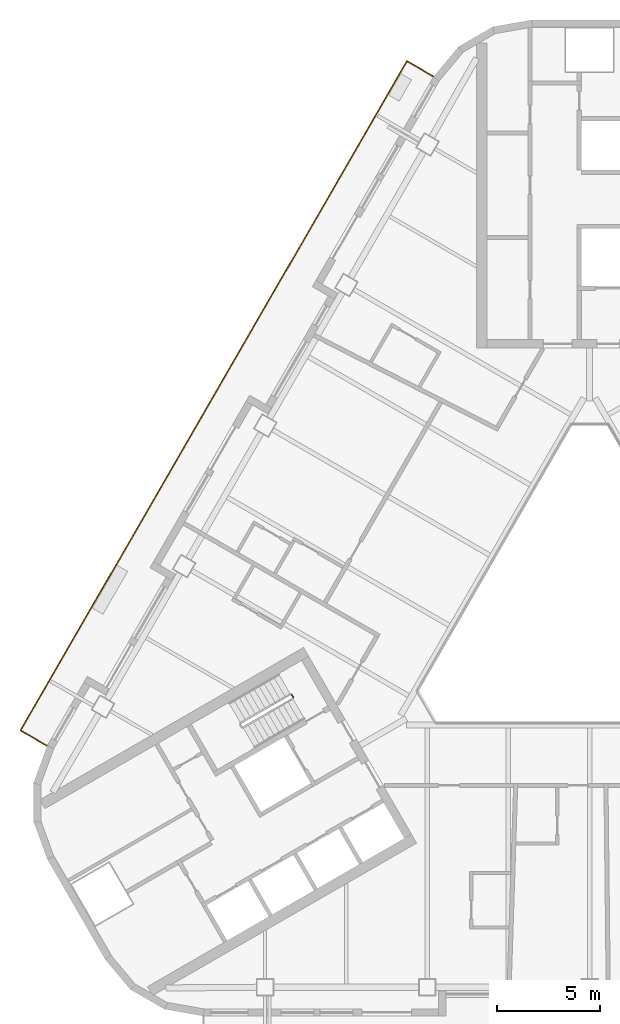
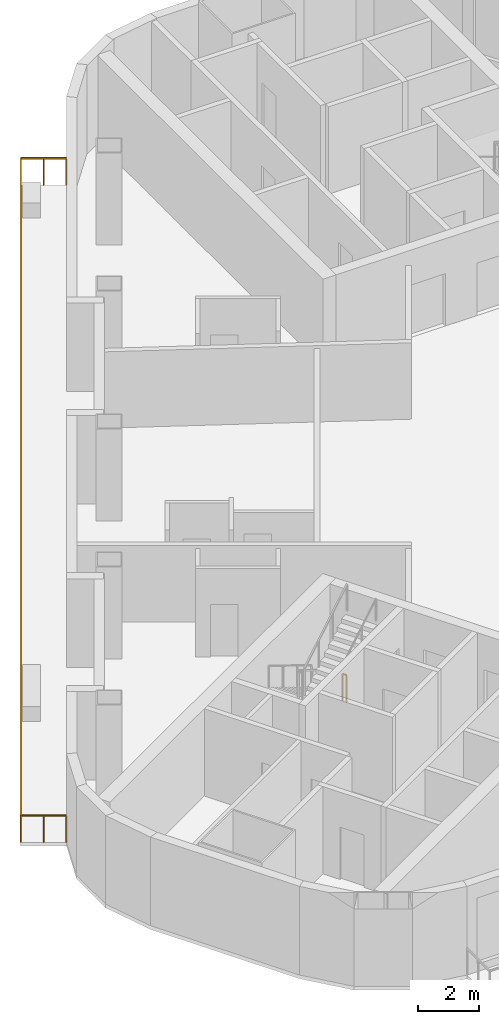
# One storey, part 11 of 14: 2 railings.
"""IFC4 building model written with IfcOpenShell, lengths in metres."""

from ifc_helpers import new_model, si_unit, direction, frame, origin, origin_2d, place, context, subcontext, project, spatial, rectangle, extrude, material, type_object, element, save


model = new_model("IFC4")

# Units and contexts
model_context = context("Model", 3, precision=1e-05, world=origin(), true_north=direction((0.0, 1.0)))
body_context = subcontext(model_context, "Body", "Model", "MODEL_VIEW")
ifc_project = project(units=[si_unit("LENGTHUNIT", "METRE"), si_unit("AREAUNIT", "SQUARE_METRE"), si_unit("VOLUMEUNIT", "CUBIC_METRE"), si_unit("PLANEANGLEUNIT", "RADIAN"), si_unit("MASSUNIT", "GRAM", prefix="KILO")], contexts=[model_context])

# Site, building, storey
site_placement = place(None, origin())
site = spatial("IfcSite", under=ifc_project, at=site_placement, CompositionType="ELEMENT")
building_placement = place(site_placement, origin())
building = spatial("IfcBuilding", under=site, at=building_placement, Name="Apuvela Tower Hotel", CompositionType="ELEMENT")
storey_placement = place(building_placement, frame((0.0, 0.0, 172.5)))
storey = spatial("IfcBuildingStorey", under=building, at=storey_placement, Name="L41", CompositionType="ELEMENT", Elevation=172.5)

# Railings
ifc_material_1 = material(Name="Steel S275 balustrade", Category="steel")
railing_type_1 = type_object("IfcRailingType", Name="COR-GUARD-1100", PredefinedType="GUARDRAIL", material=ifc_material_1)
railing_1_placement = place(storey_placement, frame((-14.500732421875, -3.984130859375, 0.0)))
element("IfcRailing", 1, at=railing_1_placement, inside=storey, type_object=railing_type_1, Name="L41 ST2 stair guard 4", PredefinedType="GUARDRAIL", context=body_context, shape_type="SweptSolid", body=[
    extrude(rectangle(XDim=0.048095703125, YDim=0.048095703125, at=origin_2d()), frame((0.0, 0.0, 1.076171875), z_axis=(0.499816412211, -0.866131372301, 0.0), x_axis=(0.866131372301, 0.499816412211, 0.0)), (0.0, 0.0, 1.0), 0.14990234375),
    extrude(rectangle(XDim=0.0419921875, YDim=0.0419921875, at=origin_2d()), origin(), (0.0, 0.0, 1.0), 1.052001953125),
    extrude(rectangle(XDim=0.0419921875, YDim=0.0419921875, at=origin_2d()), frame((0.074951171875, -0.1298828125, 0.0)), (0.0, 0.0, 1.0), 1.052001953125),
])
ifc_material_2 = material(Name="Stainless steel 316 rail with laminated glass infill", Category="steel")
railing_type_2 = type_object("IfcRailingType", Name="ENV-GUARD-1100", PredefinedType="GUARDRAIL", material=ifc_material_2)
railing_2_placement = place(storey_placement, frame((-7.59228515625, 26.110107421875, 0.0)))
element("IfcRailing", 2, at=railing_2_placement, inside=storey, type_object=railing_type_2, Name="Balcony guard NW L41", PredefinedType="GUARDRAIL", context=body_context, shape_type="SweptSolid", body=[
    extrude(rectangle(XDim=0.050048828125, YDim=0.050048828125, at=origin_2d()), frame((0.0, 0.0, 1.0751953125), z_axis=(-0.86599040064, 0.500060622324, 0.0), x_axis=(-0.500060622324, -0.86599040064, 0.0)), (0.0, 0.0, 1.0), 1.499755859375),
    extrude(rectangle(XDim=0.050048828125, YDim=0.050048828125, at=origin_2d()), frame((-1.298828125, 0.75, 1.0751953125), z_axis=(-0.500000437506, -0.86602515119, 0.0), x_axis=(0.86602515119, -0.500000437506, 0.0)), (0.0, 0.0, 1.0), 37.6318359375),
    extrude(rectangle(XDim=0.050048828125, YDim=0.050048828125, at=origin_2d()), frame((-20.11474609375, -31.840087890625, 1.0751953125), z_axis=(0.866031096941, -0.499990139034, 0.0), x_axis=(0.499990139034, 0.866031096941, 0.0)), (0.0, 0.0, 1.0), 1.5),
    extrude(rectangle(XDim=0.0400390625, YDim=0.0400390625, at=origin_2d()), origin(), (0.0, 0.0, 1.0), 1.050048828125),
    extrude(rectangle(XDim=0.0400390625, YDim=0.0400390625, at=origin_2d()), frame((-0.6494140625, 0.375, 0.0)), (0.0, 0.0, 1.0), 1.050048828125),
    extrude(rectangle(XDim=0.0400390625, YDim=0.0400390625, at=origin_2d()), frame((-1.298828125, 0.75, 0.0)), (0.0, 0.0, 1.0), 1.050048828125),
    extrude(rectangle(XDim=0.0400390625, YDim=0.0400390625, at=origin_2d()), frame((-1.88671875, -0.2685546875, 0.0)), (0.0, 0.0, 1.0), 1.050048828125),
    extrude(rectangle(XDim=0.0400390625, YDim=0.0400390625, at=origin_2d()), frame((-2.474853515625, -1.286865234375, 0.0)), (0.0, 0.0, 1.0), 1.050048828125),
    extrude(rectangle(XDim=0.0400390625, YDim=0.0400390625, at=origin_2d()), frame((-3.062744140625, -2.305419921875, 0.0)), (0.0, 0.0, 1.0), 1.050048828125),
    extrude(rectangle(XDim=0.0400390625, YDim=0.0400390625, at=origin_2d()), frame((-3.65087890625, -3.32373046875, 0.0)), (0.0, 0.0, 1.0), 1.050048828125),
    extrude(rectangle(XDim=0.0400390625, YDim=0.0400390625, at=origin_2d()), frame((-4.23876953125, -4.34228515625, 0.0)), (0.0, 0.0, 1.0), 1.050048828125),
    extrude(rectangle(XDim=0.0400390625, YDim=0.0400390625, at=origin_2d()), frame((-4.826904296875, -5.360595703125, 0.0)), (0.0, 0.0, 1.0), 1.050048828125),
    extrude(rectangle(XDim=0.0400390625, YDim=0.0400390625, at=origin_2d()), frame((-5.414794921875, -6.379150390625, 0.0)), (0.0, 0.0, 1.0), 1.050048828125),
    extrude(rectangle(XDim=0.0400390625, YDim=0.0400390625, at=origin_2d()), frame((-6.0029296875, -7.3974609375, 0.0)), (0.0, 0.0, 1.0), 1.050048828125),
    extrude(rectangle(XDim=0.0400390625, YDim=0.0400390625, at=origin_2d()), frame((-6.5908203125, -8.416015625, 0.0)), (0.0, 0.0, 1.0), 1.050048828125),
    extrude(rectangle(XDim=0.0400390625, YDim=0.0400390625, at=origin_2d()), frame((-7.1787109375, -9.434326171875, 0.0)), (0.0, 0.0, 1.0), 1.050048828125),
    extrude(rectangle(XDim=0.0400390625, YDim=0.0400390625, at=origin_2d()), frame((-7.766845703125, -10.452880859375, 0.0)), (0.0, 0.0, 1.0), 1.050048828125),
    extrude(rectangle(XDim=0.0400390625, YDim=0.0400390625, at=origin_2d()), frame((-8.354736328125, -11.47119140625, 0.0)), (0.0, 0.0, 1.0), 1.050048828125),
    extrude(rectangle(XDim=0.0400390625, YDim=0.0400390625, at=origin_2d()), frame((-8.94287109375, -12.48974609375, 0.0)), (0.0, 0.0, 1.0), 1.050048828125),
    extrude(rectangle(XDim=0.0400390625, YDim=0.0400390625, at=origin_2d()), frame((-9.53076171875, -13.508056640625, 0.0)), (0.0, 0.0, 1.0), 1.050048828125),
    extrude(rectangle(XDim=0.0400390625, YDim=0.0400390625, at=origin_2d()), frame((-10.118896484375, -14.526611328125, 0.0)), (0.0, 0.0, 1.0), 1.050048828125),
    extrude(rectangle(XDim=0.0400390625, YDim=0.0400390625, at=origin_2d()), frame((-10.706787109375, -15.544921875, 0.0)), (0.0, 0.0, 1.0), 1.050048828125),
    extrude(rectangle(XDim=0.0400390625, YDim=0.0400390625, at=origin_2d()), frame((-11.294677734375, -16.5634765625, 0.0)), (0.0, 0.0, 1.0), 1.050048828125),
    extrude(rectangle(XDim=0.0400390625, YDim=0.0400390625, at=origin_2d()), frame((-11.8828125, -17.58203125, 0.0)), (0.0, 0.0, 1.0), 1.050048828125),
    extrude(rectangle(XDim=0.0400390625, YDim=0.0400390625, at=origin_2d()), frame((-12.470703125, -18.600341796875, 0.0)), (0.0, 0.0, 1.0), 1.050048828125),
    extrude(rectangle(XDim=0.0400390625, YDim=0.0400390625, at=origin_2d()), frame((-13.058837890625, -19.618896484375, 0.0)), (0.0, 0.0, 1.0), 1.050048828125),
    extrude(rectangle(XDim=0.0400390625, YDim=0.0400390625, at=origin_2d()), frame((-13.646728515625, -20.63720703125, 0.0)), (0.0, 0.0, 1.0), 1.050048828125),
    extrude(rectangle(XDim=0.0400390625, YDim=0.0400390625, at=origin_2d()), frame((-14.23486328125, -21.65576171875, 0.0)), (0.0, 0.0, 1.0), 1.050048828125),
    extrude(rectangle(XDim=0.0400390625, YDim=0.0400390625, at=origin_2d()), frame((-14.82275390625, -22.674072265625, 0.0)), (0.0, 0.0, 1.0), 1.050048828125),
    extrude(rectangle(XDim=0.0400390625, YDim=0.0400390625, at=origin_2d()), frame((-15.41064453125, -23.692626953125, 0.0)), (0.0, 0.0, 1.0), 1.050048828125),
    extrude(rectangle(XDim=0.0400390625, YDim=0.0400390625, at=origin_2d()), frame((-15.998779296875, -24.7109375, 0.0)), (0.0, 0.0, 1.0), 1.050048828125),
    extrude(rectangle(XDim=0.0400390625, YDim=0.0400390625, at=origin_2d()), frame((-16.586669921875, -25.7294921875, 0.0)), (0.0, 0.0, 1.0), 1.050048828125),
    extrude(rectangle(XDim=0.0400390625, YDim=0.0400390625, at=origin_2d()), frame((-17.1748046875, -26.747802734375, 0.0)), (0.0, 0.0, 1.0), 1.050048828125),
    extrude(rectangle(XDim=0.0400390625, YDim=0.0400390625, at=origin_2d()), frame((-17.7626953125, -27.766357421875, 0.0)), (0.0, 0.0, 1.0), 1.050048828125),
    extrude(rectangle(XDim=0.0400390625, YDim=0.0400390625, at=origin_2d()), frame((-18.350830078125, -28.78466796875, 0.0)), (0.0, 0.0, 1.0), 1.050048828125),
    extrude(rectangle(XDim=0.0400390625, YDim=0.0400390625, at=origin_2d()), frame((-18.938720703125, -29.80322265625, 0.0)), (0.0, 0.0, 1.0), 1.050048828125),
    extrude(rectangle(XDim=0.0400390625, YDim=0.0400390625, at=origin_2d()), frame((-19.52685546875, -30.821533203125, 0.0)), (0.0, 0.0, 1.0), 1.050048828125),
    extrude(rectangle(XDim=0.0400390625, YDim=0.0400390625, at=origin_2d()), frame((-20.11474609375, -31.840087890625, 0.0)), (0.0, 0.0, 1.0), 1.050048828125),
    extrude(rectangle(XDim=0.0400390625, YDim=0.0400390625, at=origin_2d()), frame((-19.46533203125, -32.215087890625, 0.0)), (0.0, 0.0, 1.0), 1.050048828125),
    extrude(rectangle(XDim=0.0400390625, YDim=0.0400390625, at=origin_2d()), frame((-18.815673828125, -32.590087890625, 0.0)), (0.0, 0.0, 1.0), 1.050048828125),
])

save(model, "model.ifc")
